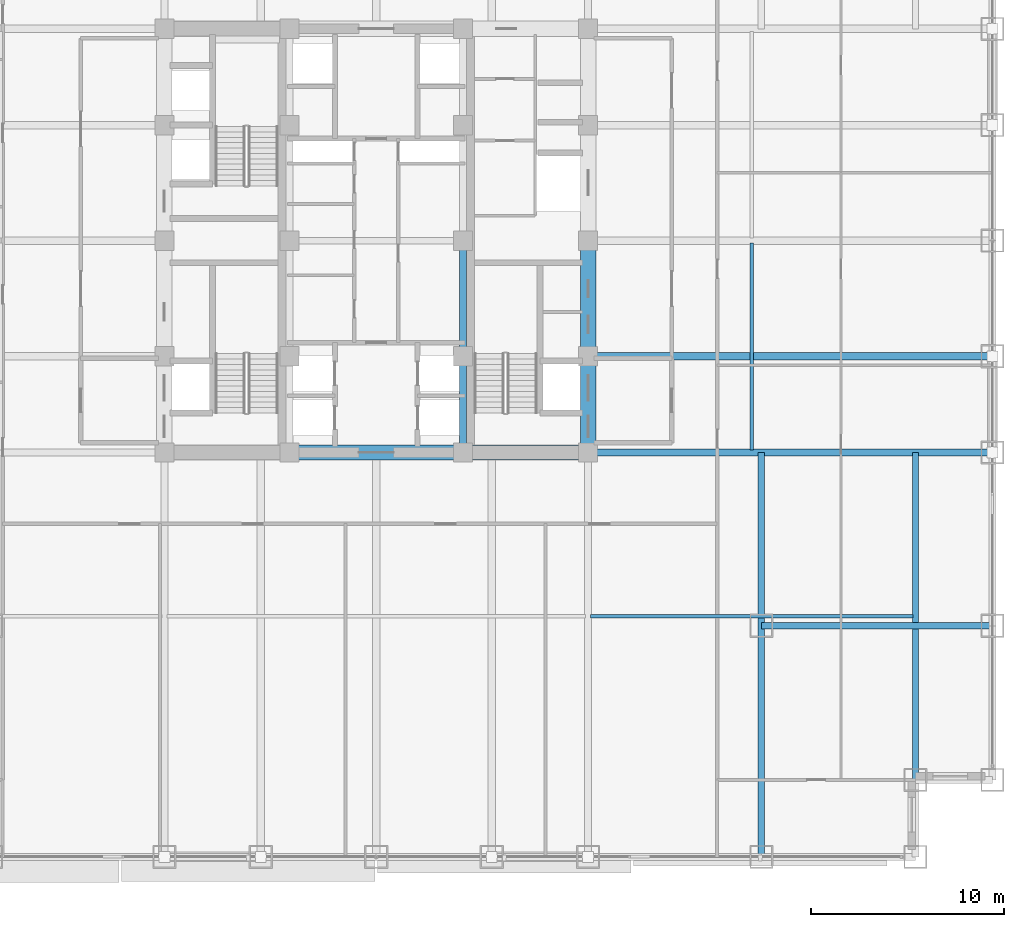
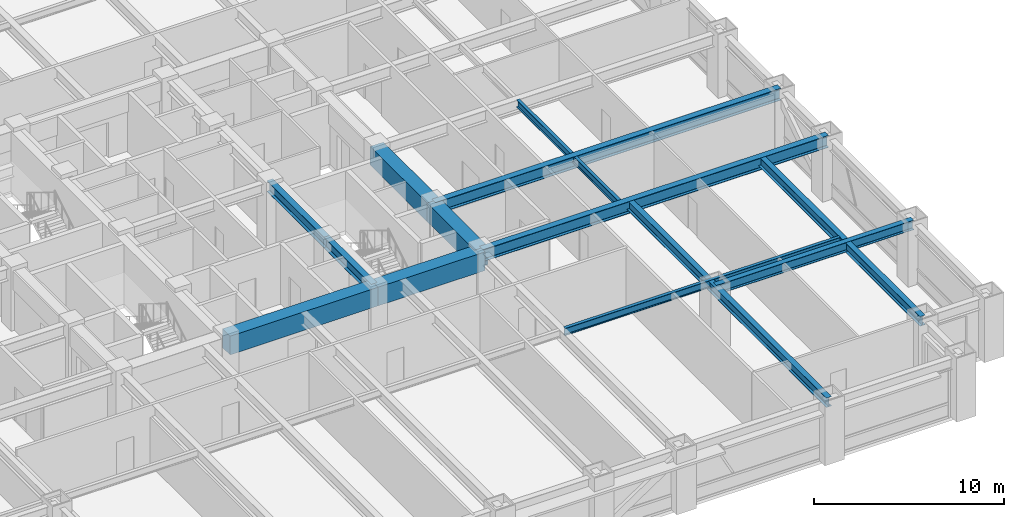
# One storey, part 7 of 32: 13 beams.
"""IFC4 building model written with IfcOpenShell, lengths in metres."""

from ifc_helpers import new_model, si_unit, direction, frame, origin, origin_2d, place, context, subcontext, project, spatial, rectangle, i_section, extrude, source, transform, mapped, material, material_profile, profile_set, type_object, element, save


model = new_model("IFC4")

# Units and contexts
model_context = context("Model", 3, precision=1e-05, world=origin(), true_north=direction((0.0, 1.0)))
body_context = subcontext(model_context, "Body", "Model", "MODEL_VIEW")
ifc_project = project(units=[si_unit("LENGTHUNIT", "METRE"), si_unit("AREAUNIT", "SQUARE_METRE"), si_unit("VOLUMEUNIT", "CUBIC_METRE"), si_unit("PLANEANGLEUNIT", "RADIAN"), si_unit("MASSUNIT", "GRAM", prefix="KILO")], contexts=[model_context])

# Site, building, storey
site_placement = place(None, origin())
site = spatial("IfcSite", under=ifc_project, at=site_placement, CompositionType="ELEMENT")
building_placement = place(site_placement, origin())
building = spatial("IfcBuilding", under=site, at=building_placement, Name="Khorayat Bourse Tower", CompositionType="ELEMENT")
storey_placement = place(building_placement, frame((0.0, 0.0, 136.5)))
storey = spatial("IfcBuildingStorey", under=building, at=storey_placement, Name="L31", CompositionType="ELEMENT", Elevation=136.5)

# Beams
ifc_material_1 = material(Name="Concrete C72/90", Category="concrete")
ifc_material_profile_1 = material_profile(ifc_material_1, rectangle(XDim=0.800048828125, YDim=1.199951171875, at=origin_2d()), Name="RC 800x1200")
ifc_profile_set_1 = profile_set([ifc_material_profile_1], Name="Concrete C72/90")
beam_type_1 = type_object("IfcBeamType", Name="BM-COUP-1200", PredefinedType="BEAM", material=ifc_profile_set_1)
shared_shape_1 = source(origin(), body_context, "Body", "SweptSolid", [
    extrude(rectangle(XDim=0.800048828125, YDim=1.199951171875, at=origin_2d()), origin(), (0.0, 0.0, 1.0), 5.0),
])
beam_1_placement = place(storey_placement, frame((11.0, -11.0, 3.239990234375), z_axis=(0.0, 1.0, 0.0), x_axis=(-1.0, 0.0, 0.0)))
element("IfcBeam", 1, at=beam_1_placement, inside=storey, type_object=beam_type_1, Name="L31 BM-COUP-1200 BM-L31-CRX-13", PredefinedType="BEAM", context=body_context, shape_type="MappedRepresentation", body=[
    mapped(shared_shape_1, transform((0.0, 0.0, 0.0), scale=1.0)),
])
shared_shape_2 = source(origin(), body_context, "Body", "SweptSolid", [
    extrude(rectangle(XDim=0.800048828125, YDim=1.199951171875, at=origin_2d()), origin(), (0.0, 0.0, 1.0), 6.0),
])
beam_2_placement = place(storey_placement, frame((11.0, -6.0, 3.239990234375), z_axis=(0.0, 1.0, 0.0), x_axis=(-1.0, 0.0, 0.0)))
element("IfcBeam", 2, at=beam_2_placement, inside=storey, type_object=beam_type_1, Name="L31 BM-COUP-1200 BM-L31-CRX-14", PredefinedType="BEAM", context=body_context, shape_type="MappedRepresentation", body=[
    mapped(shared_shape_2, transform((0.0, 0.0, 0.0), scale=1.0)),
])
ifc_material_2 = material(Name="Steel ASTM A992 Grade 50", Category="steel")
ifc_material_profile_2 = material_profile(ifc_material_2, i_section(OverallWidth=0.35498046875, OverallDepth=0.695068359375, WebThickness=0.015380859375, FlangeThickness=0.02490234375, FilletRadius=0.01806640625, at=origin_2d()), Name="W690X217")
ifc_profile_set_2 = profile_set([ifc_material_profile_2], Name="Steel ASTM A992 Grade 50")
beam_type_2 = type_object("IfcBeamType", Name="BM-GIRD-690", PredefinedType="BEAM", material=ifc_profile_set_2)
shared_shape_3 = source(origin(), body_context, "Body", "SweptSolid", [
    extrude(i_section(OverallWidth=0.35498046875, OverallDepth=0.695068359375, WebThickness=0.015380859375, FlangeThickness=0.02490234375, FilletRadius=0.01806640625, at=origin_2d()), origin(), (0.0, 0.0, 1.0), 5.0),
])
beam_3_placement = place(storey_placement, frame((4.5, -11.0, 3.492431640625), z_axis=(0.0, 1.0, 0.0), x_axis=(-1.0, 0.0, 0.0)))
element("IfcBeam", 3, at=beam_3_placement, inside=storey, type_object=beam_type_2, Name="L31 BM-GIRD-690 BM-L31-CRX-09", PredefinedType="BEAM", context=body_context, shape_type="MappedRepresentation", body=[
    mapped(shared_shape_3, transform((0.0, 0.0, 0.0), scale=1.0)),
])
shared_shape_4 = source(origin(), body_context, "Body", "SweptSolid", [
    extrude(i_section(OverallWidth=0.35498046875, OverallDepth=0.695068359375, WebThickness=0.015380859375, FlangeThickness=0.02490234375, FilletRadius=0.01806640625, at=origin_2d()), origin(), (0.0, 0.0, 1.0), 6.0),
])
beam_4_placement = place(storey_placement, frame((4.5, -6.0, 3.492431640625), z_axis=(0.0, 1.0, 0.0), x_axis=(-1.0, 0.0, 0.0)))
element("IfcBeam", 4, at=beam_4_placement, inside=storey, type_object=beam_type_2, Name="L31 BM-GIRD-690 BM-L31-CRX-10", PredefinedType="BEAM", context=body_context, shape_type="MappedRepresentation", body=[
    mapped(shared_shape_4, transform((0.0, 0.0, 0.0), scale=1.0)),
])
shared_shape_5 = source(origin(), body_context, "Body", "SweptSolid", [
    extrude(rectangle(XDim=0.800048828125, YDim=1.199951171875, at=origin_2d()), origin(), (0.0, 0.0, 1.0), 6.5),
])
beam_5_placement = place(storey_placement, frame((4.5, -11.0, 3.239990234375), z_axis=(1.0, 0.0, 0.0), x_axis=(0.0, 1.0, 0.0)))
element("IfcBeam", 5, at=beam_5_placement, inside=storey, type_object=beam_type_1, Name="L31 BM-COUP-1200 BM-L31-CRY-19", PredefinedType="BEAM", context=body_context, shape_type="MappedRepresentation", body=[
    mapped(shared_shape_5, transform((0.0, 0.0, 0.0), scale=1.0)),
])
shared_shape_6 = source(origin(), body_context, "Body", "SweptSolid", [
    extrude(rectangle(XDim=0.800048828125, YDim=1.199951171875, at=origin_2d()), origin(), (0.0, 0.0, 1.0), 9.0),
])
beam_6_placement = place(storey_placement, frame((-4.5, -11.0, 3.239990234375), z_axis=(1.0, 0.0, 0.0), x_axis=(0.0, 1.0, 0.0)))
element("IfcBeam", 6, at=beam_6_placement, inside=storey, type_object=beam_type_1, Name="L31 BM-COUP-1200 BM-L31-CRY-18", PredefinedType="BEAM", context=body_context, shape_type="MappedRepresentation", body=[
    mapped(shared_shape_6, transform((0.0, 0.0, 0.0), scale=1.0)),
])
ifc_material_profile_3 = material_profile(ifc_material_2, i_section(OverallWidth=0.324951171875, OverallDepth=0.615966796875, WebThickness=0.013916015625, FlangeThickness=0.021484375, FilletRadius=0.01611328125, at=origin_2d()), Name="W610X174")
ifc_profile_set_3 = profile_set([ifc_material_profile_3], Name="Steel ASTM A992 Grade 50")
beam_type_3 = type_object("IfcBeamType", Name="BM-GIRD-610", PredefinedType="BEAM", material=ifc_profile_set_3)
shared_shape_7 = source(origin(), body_context, "Body", "SweptSolid", [
    extrude(i_section(OverallWidth=0.324951171875, OverallDepth=0.615966796875, WebThickness=0.013916015625, FlangeThickness=0.021484375, FilletRadius=0.01611328125, at=origin_2d()), origin(), (0.0, 0.0, 1.0), 21.0),
])
beam_7_placement = place(storey_placement, frame((20.0, -32.0, 3.531982421875), z_axis=(0.0, 1.0, 0.0), x_axis=(-1.0, 0.0, 0.0)))
element("IfcBeam", 7, at=beam_7_placement, inside=storey, type_object=beam_type_3, Name="L31 BM-GIRD-610 BM-L31-CNRY-086", PredefinedType="BEAM", context=body_context, shape_type="MappedRepresentation", body=[
    mapped(shared_shape_7, transform((0.0, 0.0, 0.0), scale=1.0)),
])
shared_shape_8 = source(origin(), body_context, "Body", "SweptSolid", [
    extrude(i_section(OverallWidth=0.324951171875, OverallDepth=0.615966796875, WebThickness=0.013916015625, FlangeThickness=0.021484375, FilletRadius=0.01611328125, at=origin_2d()), origin(), (0.0, 0.0, 1.0), 12.0),
])
beam_8_placement = place(storey_placement, frame((20.0, -20.0, 3.531982421875), z_axis=(1.0, 0.0, 0.0), x_axis=(0.0, 1.0, 0.0)))
element("IfcBeam", 8, at=beam_8_placement, inside=storey, type_object=beam_type_3, Name="L31 BM-GIRD-610 BM-L31-CNRX-092", PredefinedType="BEAM", context=body_context, shape_type="MappedRepresentation", body=[
    mapped(shared_shape_8, transform((0.0, 0.0, 0.0), scale=1.0)),
])
ifc_material_profile_4 = material_profile(ifc_material_2, i_section(OverallWidth=0.194091796875, OverallDepth=0.468994140625, WebThickness=0.0126953125, FlangeThickness=0.0205078125, FilletRadius=0.012939453125, at=origin_2d()), Name="W460X106")
ifc_profile_set_4 = profile_set([ifc_material_profile_4], Name="Steel ASTM A992 Grade 50")
beam_type_4 = type_object("IfcBeamType", Name="BM-JOIST-460", PredefinedType="JOIST", material=ifc_profile_set_4)
shared_shape_9 = source(origin(), body_context, "Body", "SweptSolid", [
    extrude(i_section(OverallWidth=0.194091796875, OverallDepth=0.468994140625, WebThickness=0.0126953125, FlangeThickness=0.0205078125, FilletRadius=0.012939453125, at=origin_2d()), origin(), (0.0, 0.0, 1.0), 10.740234375),
])
beam_9_placement = place(storey_placement, frame((19.5, -10.8701171875, 3.60546875), z_axis=(0.0, 1.0, 0.0), x_axis=(-1.0, 0.0, 0.0)))
element("IfcBeam", 9, at=beam_9_placement, inside=storey, type_object=beam_type_4, Name="L31 BM-JOIST-460 BM-L31-JSTY-104", PredefinedType="JOIST", context=body_context, shape_type="MappedRepresentation", body=[
    mapped(shared_shape_9, transform((0.0, 0.0, 0.0), scale=1.0)),
])
ifc_material_profile_5 = material_profile(ifc_material_2, i_section(OverallWidth=0.381103515625, OverallDepth=0.77294921875, WebThickness=0.0166015625, FlangeThickness=0.027587890625, FilletRadius=0.01806640625, at=origin_2d()), Name="W760X257")
ifc_profile_set_5 = profile_set([ifc_material_profile_5], Name="Steel ASTM A992 Grade 50")
beam_type_5 = type_object("IfcBeamType", Name="BM-GIRD-760", PredefinedType="BEAM", material=ifc_profile_set_5)
shared_shape_10 = source(origin(), body_context, "Body", "SweptSolid", [
    extrude(i_section(OverallWidth=0.381103515625, OverallDepth=0.77294921875, WebThickness=0.0166015625, FlangeThickness=0.027587890625, FilletRadius=0.01806640625, at=origin_2d()), origin(), (0.0, 0.0, 1.0), 21.0),
])
for number, where, z_axis, x_axis, name in (
    (10, (11.0, -11.0, 3.45361328125), (1.0, 0.0, 0.0), (0.0, 1.0, 0.0), "L31 BM-GIRD-760 BM-L31-RADX-074"),
    (11, (11.0, -6.0, 3.45361328125), (1.0, 0.0, 0.0), (0.0, 1.0, 0.0), "L31 BM-GIRD-760 BM-L31-RADX-076"),
):
    element("IfcBeam", number, at=place(storey_placement, frame(where, z_axis=z_axis, x_axis=x_axis)), inside=storey, type_object=beam_type_5, Name=name, PredefinedType="BEAM", context=body_context, shape_type="MappedRepresentation", body=[
        mapped(shared_shape_10, transform((0.0, 0.0, 0.0), scale=1.0)),
    ])
shared_shape_11 = source(origin(), body_context, "Body", "SweptSolid", [
    extrude(i_section(OverallWidth=0.324951171875, OverallDepth=0.615966796875, WebThickness=0.013916015625, FlangeThickness=0.021484375, FilletRadius=0.01611328125, at=origin_2d()), origin(), (0.0, 0.0, 1.0), 17.0),
])
beam_10_placement = place(storey_placement, frame((28.0, -28.0, 3.531982421875), z_axis=(0.0, 1.0, 0.0), x_axis=(-1.0, 0.0, 0.0)))
element("IfcBeam", 12, at=beam_10_placement, inside=storey, type_object=beam_type_3, Name="L31 BM-GIRD-610 BM-L31-CNRY-090", PredefinedType="BEAM", context=body_context, shape_type="MappedRepresentation", body=[
    mapped(shared_shape_11, transform((0.0, 0.0, 0.0), scale=1.0)),
])
shared_shape_12 = source(origin(), body_context, "Body", "SweptSolid", [
    extrude(i_section(OverallWidth=0.194091796875, OverallDepth=0.468994140625, WebThickness=0.0126953125, FlangeThickness=0.0205078125, FilletRadius=0.012939453125, at=origin_2d()), origin(), (0.0, 0.0, 1.0), 16.740234375),
])
beam_11_placement = place(storey_placement, frame((11.1298828125, -19.5, 3.60546875), z_axis=(1.0, 0.0, 0.0), x_axis=(0.0, 1.0, 0.0)))
element("IfcBeam", 13, at=beam_11_placement, inside=storey, type_object=beam_type_4, Name="L31 BM-JOIST-460 BM-L31-JSTX-098", PredefinedType="JOIST", context=body_context, shape_type="MappedRepresentation", body=[
    mapped(shared_shape_12, transform((0.0, 0.0, 0.0), scale=1.0)),
])

save(model, "model.ifc")
